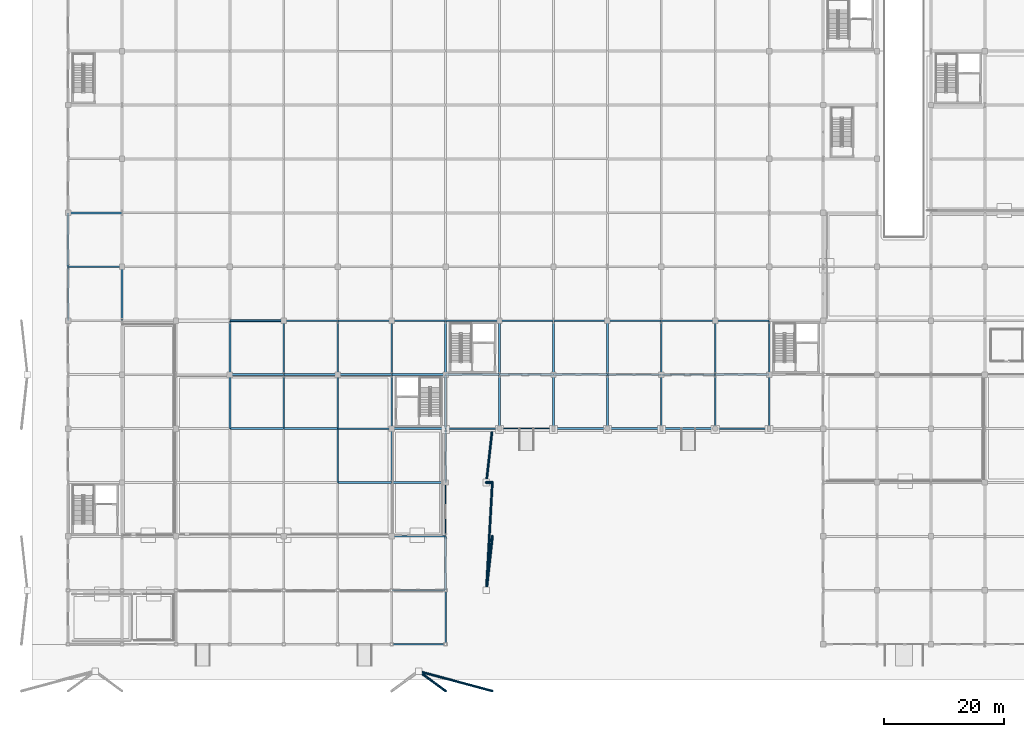
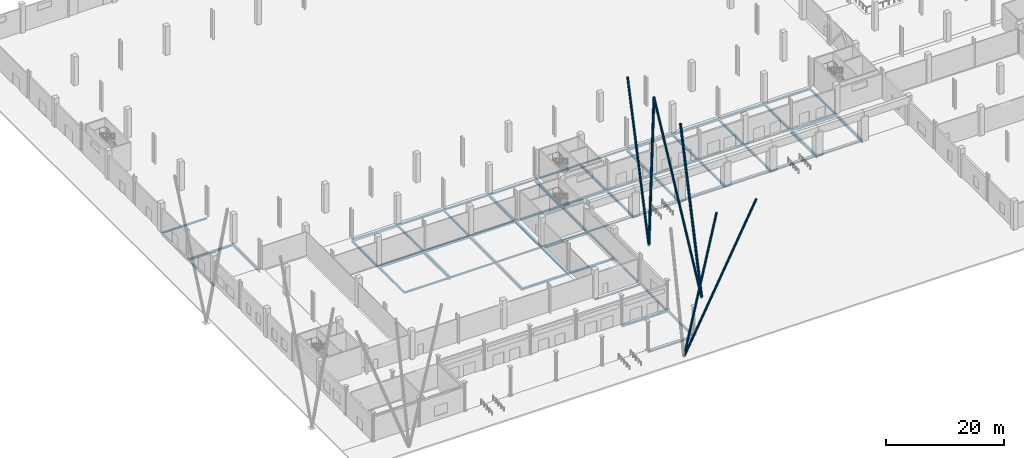
# One storey, part 19 of 58: 68 beams, 6 members.
"""IFC4 building model written with IfcOpenShell, lengths in metres."""

from ifc_helpers import new_model, si_unit, direction, frame, origin, origin_2d, place, context, subcontext, project, spatial, rectangle, hollow_rectangle, hollow_circle, i_section, extrude, material, material_profile, profile_set, type_object, element, save


model = new_model("IFC4")

# Units and contexts
model_context = context("Model", 3, precision=1e-05, world=origin(), true_north=direction((0.0, 1.0)))
body_context = subcontext(model_context, "Body", "Model", "MODEL_VIEW")
ifc_project = project(units=[si_unit("LENGTHUNIT", "METRE"), si_unit("AREAUNIT", "SQUARE_METRE"), si_unit("VOLUMEUNIT", "CUBIC_METRE"), si_unit("PLANEANGLEUNIT", "RADIAN"), si_unit("MASSUNIT", "GRAM", prefix="KILO")], contexts=[model_context])

# Site, building, storey
site_placement = place(None, origin())
site = spatial("IfcSite", under=ifc_project, at=site_placement, CompositionType="ELEMENT")
building_placement = place(site_placement, origin())
building = spatial("IfcBuilding", under=site, at=building_placement, Name="Barlavento Convention Centre", CompositionType="ELEMENT")
storey_placement = place(building_placement, origin())
storey = spatial("IfcBuildingStorey", under=building, at=storey_placement, Name="L00", CompositionType="ELEMENT", Elevation=0.0)

# Beams
ifc_material_1 = material(Name="Concrete C40/50", Category="concrete")
ifc_material_profile_1 = material_profile(ifc_material_1, rectangle(XDim=0.300048828125, YDim=0.5, at=origin_2d()), Name="RC 300x500")
ifc_profile_set_1 = profile_set([ifc_material_profile_1], Name="Concrete C40/50")
beam_type_1 = type_object("IfcBeamType", Name="STR-BM-LNT-RC300X500", PredefinedType="LINTEL", material=ifc_profile_set_1)
beam_1_placement = place(storey_placement, frame((27.02001953125, 54.0, -0.6298828125), z_axis=(1.0, 0.0, 0.0), x_axis=(0.0, 1.0, 0.0)))
element("IfcBeam", 1, at=beam_1_placement, inside=storey, type_object=beam_type_1, Name="L00 primary girder RCL01", PredefinedType="LINTEL", context=body_context, shape_type="SweptSolid", body=[
    extrude(rectangle(XDim=0.300048828125, YDim=0.5, at=origin_2d()), origin(), (0.0, 0.0, 1.0), 8.9599609375),
])
ifc_material_2 = material(Name="Steel S355", Category="steel")
ifc_material_profile_2 = material_profile(ifc_material_2, i_section(OverallWidth=0.300048828125, OverallDepth=0.330078125, WebThickness=0.009521484375, FlangeThickness=0.0166015625, FilletRadius=0.027099609375, at=origin_2d()), Name="HEA 340")
ifc_profile_set_2 = profile_set([ifc_material_profile_2], Name="Steel S355")
beam_type_2 = type_object("IfcBeamType", Name="STR-BM-PRI-HEA340", PredefinedType="BEAM", material=ifc_profile_set_2)
for number, where, z_axis, x_axis, name in (
    (2, (27.0, 36.02001953125, -0.5048828125), (0.0, 1.0, 0.0), (-1.0, 0.0, 0.0), "L00 grid girder BG24"),
    (3, (99.0, 36.02001953125, -0.485107421875), (0.0, 1.0, 0.0), (-1.0, 0.0, 0.0), "L00 grid girder BG24"),
    (4, (45.0, 45.02001953125, -0.544921875), (0.0, 1.0, 0.0), (-1.0, 0.0, 0.0), "L00 grid girder BG24"),
    (5, (117.0, 45.02001953125, -0.544921875), (0.0, 1.0, 0.0), (-1.0, 0.0, 0.0), "L00 grid girder BG24"),
):
    element("IfcBeam", number, at=place(storey_placement, frame(where, z_axis=z_axis, x_axis=x_axis)), inside=storey, type_object=beam_type_2, Name=name, PredefinedType="BEAM", context=body_context, shape_type="SweptSolid", body=[
        extrude(i_section(OverallWidth=0.300048828125, OverallDepth=0.330078125, WebThickness=0.009521484375, FlangeThickness=0.0166015625, FilletRadius=0.027099609375, at=origin_2d()), origin(), (0.0, 0.0, 1.0), 8.9599609375),
    ])
ifc_material_profile_3 = material_profile(ifc_material_2, i_section(OverallWidth=0.300048828125, OverallDepth=0.35009765625, WebThickness=0.010009765625, FlangeThickness=0.017578125, FilletRadius=0.027099609375, at=origin_2d()), Name="HEA 360")
ifc_profile_set_3 = profile_set([ifc_material_profile_3], Name="Steel S355")
beam_type_3 = type_object("IfcBeamType", Name="STR-BM-PRI-HEA360", PredefinedType="BEAM", material=ifc_profile_set_3)
for number, where, z_axis, x_axis, name in (
    (6, (90.0, 36.02001953125, -0.4951171875), (0.0, 1.0, 0.0), (-1.0, 0.0, 0.0), "L00 grid girder BG23"),
    (7, (36.0, 45.02001953125, -0.554931640625), (0.0, 1.0, 0.0), (-1.0, 0.0, 0.0), "L00 grid girder BG23"),
    (8, (108.0, 45.02001953125, -0.554931640625), (0.0, 1.0, 0.0), (-1.0, 0.0, 0.0), "L00 grid girder BG23"),
):
    element("IfcBeam", number, at=place(storey_placement, frame(where, z_axis=z_axis, x_axis=x_axis)), inside=storey, type_object=beam_type_3, Name=name, PredefinedType="BEAM", context=body_context, shape_type="SweptSolid", body=[
        extrude(i_section(OverallWidth=0.300048828125, OverallDepth=0.35009765625, WebThickness=0.010009765625, FlangeThickness=0.017578125, FilletRadius=0.027099609375, at=origin_2d()), origin(), (0.0, 0.0, 1.0), 8.9599609375),
    ])
ifc_material_profile_4 = material_profile(ifc_material_2, i_section(OverallWidth=0.300048828125, OverallDepth=0.389892578125, WebThickness=0.010986328125, FlangeThickness=0.01904296875, FilletRadius=0.027099609375, at=origin_2d()), Name="HEA 400")
ifc_profile_set_4 = profile_set([ifc_material_profile_4], Name="Steel S355")
beam_type_4 = type_object("IfcBeamType", Name="STR-BM-PRI-HEA400", PredefinedType="BEAM", material=ifc_profile_set_4)
for number, where, z_axis, x_axis, name in (
    (9, (81.0, 36.02001953125, -0.514892578125), (0.0, 1.0, 0.0), (-1.0, 0.0, 0.0), "L00 grid girder BG22"),
    (10, (27.0, 45.02001953125, -0.574951171875), (0.0, 1.0, 0.0), (-1.0, 0.0, 0.0), "L00 grid girder BG22"),
    (11, (99.0, 45.02001953125, -0.574951171875), (0.0, 1.0, 0.0), (-1.0, 0.0, 0.0), "L00 grid girder BG22"),
):
    element("IfcBeam", number, at=place(storey_placement, frame(where, z_axis=z_axis, x_axis=x_axis)), inside=storey, type_object=beam_type_4, Name=name, PredefinedType="BEAM", context=body_context, shape_type="SweptSolid", body=[
        extrude(i_section(OverallWidth=0.300048828125, OverallDepth=0.389892578125, WebThickness=0.010986328125, FlangeThickness=0.01904296875, FilletRadius=0.027099609375, at=origin_2d()), origin(), (0.0, 0.0, 1.0), 8.9599609375),
    ])
ifc_material_profile_5 = material_profile(ifc_material_2, i_section(OverallWidth=0.300048828125, OverallDepth=0.43994140625, WebThickness=0.011474609375, FlangeThickness=0.02099609375, FilletRadius=0.027099609375, at=origin_2d()), Name="HEA 450")
ifc_profile_set_5 = profile_set([ifc_material_profile_5], Name="Steel S355")
beam_type_5 = type_object("IfcBeamType", Name="STR-BM-PRI-HEA450", PredefinedType="BEAM", material=ifc_profile_set_5)
for number, where, z_axis, x_axis, name in (
    (12, (72.0, 36.02001953125, -0.5400390625), (0.0, 1.0, 0.0), (-1.0, 0.0, 0.0), "L00 grid girder BG21"),
    (13, (90.0, 45.02001953125, -0.60009765625), (0.0, 1.0, 0.0), (-1.0, 0.0, 0.0), "L00 grid girder BG21"),
):
    element("IfcBeam", number, at=place(storey_placement, frame(where, z_axis=z_axis, x_axis=x_axis)), inside=storey, type_object=beam_type_5, Name=name, PredefinedType="BEAM", context=body_context, shape_type="SweptSolid", body=[
        extrude(i_section(OverallWidth=0.300048828125, OverallDepth=0.43994140625, WebThickness=0.011474609375, FlangeThickness=0.02099609375, FilletRadius=0.027099609375, at=origin_2d()), origin(), (0.0, 0.0, 1.0), 8.9599609375),
    ])
ifc_material_profile_6 = material_profile(ifc_material_2, i_section(OverallWidth=0.300048828125, OverallDepth=0.489990234375, WebThickness=0.011962890625, FlangeThickness=0.02294921875, FilletRadius=0.027099609375, at=origin_2d()), Name="HEA 500")
ifc_profile_set_6 = profile_set([ifc_material_profile_6], Name="Steel S355")
beam_type_6 = type_object("IfcBeamType", Name="STR-BM-PRI-HEA500", PredefinedType="BEAM", material=ifc_profile_set_6)
for number, where, z_axis, x_axis, name in (
    (14, (63.0, 36.02001953125, -0.5849609375), (0.0, 1.0, 0.0), (-1.0, 0.0, 0.0), "L00 grid girder BG20"),
    (15, (81.0, 45.02001953125, -0.625), (0.0, 1.0, 0.0), (-1.0, 0.0, 0.0), "L00 grid girder BG20"),
):
    element("IfcBeam", number, at=place(storey_placement, frame(where, z_axis=z_axis, x_axis=x_axis)), inside=storey, type_object=beam_type_6, Name=name, PredefinedType="BEAM", context=body_context, shape_type="SweptSolid", body=[
        extrude(i_section(OverallWidth=0.300048828125, OverallDepth=0.489990234375, WebThickness=0.011962890625, FlangeThickness=0.02294921875, FilletRadius=0.027099609375, at=origin_2d()), origin(), (0.0, 0.0, 1.0), 8.9599609375),
    ])
ifc_material_profile_7 = material_profile(ifc_material_2, i_section(OverallWidth=0.300048828125, OverallDepth=0.5400390625, WebThickness=0.012451171875, FlangeThickness=0.02392578125, FilletRadius=0.027099609375, at=origin_2d()), Name="HEA 550")
ifc_profile_set_7 = profile_set([ifc_material_profile_7], Name="Steel S355")
beam_type_7 = type_object("IfcBeamType", Name="STR-BM-PRI-HEA550", PredefinedType="BEAM", material=ifc_profile_set_7)
for number, where, z_axis, x_axis, name in (
    (16, (54.0, 27.02001953125, -0.610107421875), (0.0, 1.0, 0.0), (-1.0, 0.0, 0.0), "L00 grid girder BG19"),
    (17, (54.0, 36.02001953125, -0.610107421875), (0.0, 1.0, 0.0), (-1.0, 0.0, 0.0), "L00 grid girder BG19"),
    (18, (72.0, 45.02001953125, -0.64990234375), (0.0, 1.0, 0.0), (-1.0, 0.0, 0.0), "L00 grid girder BG19"),
):
    element("IfcBeam", number, at=place(storey_placement, frame(where, z_axis=z_axis, x_axis=x_axis)), inside=storey, type_object=beam_type_7, Name=name, PredefinedType="BEAM", context=body_context, shape_type="SweptSolid", body=[
        extrude(i_section(OverallWidth=0.300048828125, OverallDepth=0.5400390625, WebThickness=0.012451171875, FlangeThickness=0.02392578125, FilletRadius=0.027099609375, at=origin_2d()), origin(), (0.0, 0.0, 1.0), 8.9599609375),
    ])
ifc_material_profile_8 = material_profile(ifc_material_2, i_section(OverallWidth=0.300048828125, OverallDepth=0.590087890625, WebThickness=0.012939453125, FlangeThickness=0.02490234375, FilletRadius=0.027099609375, at=origin_2d()), Name="HEA 600")
ifc_profile_set_8 = profile_set([ifc_material_profile_8], Name="Steel S355")
beam_type_8 = type_object("IfcBeamType", Name="STR-BM-PRI-HEA600", PredefinedType="BEAM", material=ifc_profile_set_8)
for number, where, z_axis, x_axis, name in (
    (19, (45.0, 27.02001953125, -0.635009765625), (0.0, 1.0, 0.0), (-1.0, 0.0, 0.0), "L00 grid girder BG18"),
    (20, (45.0, 36.02001953125, -0.635009765625), (0.0, 1.0, 0.0), (-1.0, 0.0, 0.0), "L00 grid girder BG18"),
    (21, (117.0, 36.02001953125, -0.614990234375), (0.0, 1.0, 0.0), (-1.0, 0.0, 0.0), "L00 grid girder BG18"),
    (22, (63.0, 45.02001953125, -0.675048828125), (0.0, 1.0, 0.0), (-1.0, 0.0, 0.0), "L00 grid girder BG18"),
    (23, (9.0, 54.02001953125, -0.675048828125), (0.0, 1.0, 0.0), (-1.0, 0.0, 0.0), "L00 grid girder BG18"),
):
    element("IfcBeam", number, at=place(storey_placement, frame(where, z_axis=z_axis, x_axis=x_axis)), inside=storey, type_object=beam_type_8, Name=name, PredefinedType="BEAM", context=body_context, shape_type="SweptSolid", body=[
        extrude(i_section(OverallWidth=0.300048828125, OverallDepth=0.590087890625, WebThickness=0.012939453125, FlangeThickness=0.02490234375, FilletRadius=0.027099609375, at=origin_2d()), origin(), (0.0, 0.0, 1.0), 8.9599609375),
    ])
ifc_material_profile_9 = material_profile(ifc_material_2, i_section(OverallWidth=0.300048828125, OverallDepth=0.639892578125, WebThickness=0.013427734375, FlangeThickness=0.02587890625, FilletRadius=0.027099609375, at=origin_2d()), Name="HEA 650")
ifc_profile_set_9 = profile_set([ifc_material_profile_9], Name="Steel S355")
beam_type_9 = type_object("IfcBeamType", Name="STR-BM-PRI-HEA650", PredefinedType="BEAM", material=ifc_profile_set_9)
for number, where, z_axis, x_axis, name in (
    (24, (36.0, 36.02001953125, -0.659912109375), (0.0, 1.0, 0.0), (-1.0, 0.0, 0.0), "L00 grid girder BG17"),
    (25, (108.0, 36.02001953125, -0.639892578125), (0.0, 1.0, 0.0), (-1.0, 0.0, 0.0), "L00 grid girder BG17"),
    (26, (54.0, 45.02001953125, -0.699951171875), (0.0, 1.0, 0.0), (-1.0, 0.0, 0.0), "L00 grid girder BG17"),
):
    element("IfcBeam", number, at=place(storey_placement, frame(where, z_axis=z_axis, x_axis=x_axis)), inside=storey, type_object=beam_type_9, Name=name, PredefinedType="BEAM", context=body_context, shape_type="SweptSolid", body=[
        extrude(i_section(OverallWidth=0.300048828125, OverallDepth=0.639892578125, WebThickness=0.013427734375, FlangeThickness=0.02587890625, FilletRadius=0.027099609375, at=origin_2d()), origin(), (0.0, 0.0, 1.0), 8.9599609375),
    ])
ifc_material_profile_10 = material_profile(ifc_material_2, i_section(OverallWidth=0.260009765625, OverallDepth=0.260009765625, WebThickness=0.010009765625, FlangeThickness=0.017578125, FilletRadius=0.02392578125, at=origin_2d()), Name="HEB 260")
ifc_profile_set_10 = profile_set([ifc_material_profile_10], Name="Steel S355")
beam_type_10 = type_object("IfcBeamType", Name="STR-BM-PRI-HEB260", PredefinedType="BEAM", material=ifc_profile_set_10)
for number, where, z_axis, x_axis, name in (
    (27, (54.02001953125, 18.0, -0.469970703125), (1.0, 0.0, 0.0), (0.0, 1.0, 0.0), "L00 primary girder BG16"),
    (28, (45.02001953125, 36.0, -0.469970703125), (1.0, 0.0, 0.0), (0.0, 1.0, 0.0), "L00 primary girder BG16"),
    (29, (99.02001953125, 45.0, -0.449951171875), (1.0, 0.0, 0.0), (0.0, 1.0, 0.0), "L00 primary girder BG16"),
    (30, (72.02001953125, 54.0, -0.510009765625), (1.0, 0.0, 0.0), (0.0, 1.0, 0.0), "L00 primary girder BG16"),
):
    element("IfcBeam", number, at=place(storey_placement, frame(where, z_axis=z_axis, x_axis=x_axis)), inside=storey, type_object=beam_type_10, Name=name, PredefinedType="BEAM", context=body_context, shape_type="SweptSolid", body=[
        extrude(i_section(OverallWidth=0.260009765625, OverallDepth=0.260009765625, WebThickness=0.010009765625, FlangeThickness=0.017578125, FilletRadius=0.02392578125, at=origin_2d()), origin(), (0.0, 0.0, 1.0), 8.9599609375),
    ])
ifc_material_profile_11 = material_profile(ifc_material_2, i_section(OverallWidth=0.280029296875, OverallDepth=0.280029296875, WebThickness=0.010498046875, FlangeThickness=0.01806640625, FilletRadius=0.02392578125, at=origin_2d()), Name="HEB 280")
ifc_profile_set_11 = profile_set([ifc_material_profile_11], Name="Steel S355")
beam_type_11 = type_object("IfcBeamType", Name="STR-BM-PRI-HEB280", PredefinedType="BEAM", material=ifc_profile_set_11)
for number, where, z_axis, x_axis, name in (
    (31, (36.02001953125, 36.0, -0.47998046875), (1.0, 0.0, 0.0), (0.0, 1.0, 0.0), "L00 primary girder BG15"),
    (32, (90.02001953125, 45.0, -0.4599609375), (1.0, 0.0, 0.0), (0.0, 1.0, 0.0), "L00 primary girder BG15"),
    (33, (63.02001953125, 54.0, -0.52001953125), (1.0, 0.0, 0.0), (0.0, 1.0, 0.0), "L00 primary girder BG15"),
):
    element("IfcBeam", number, at=place(storey_placement, frame(where, z_axis=z_axis, x_axis=x_axis)), inside=storey, type_object=beam_type_11, Name=name, PredefinedType="BEAM", context=body_context, shape_type="SweptSolid", body=[
        extrude(i_section(OverallWidth=0.280029296875, OverallDepth=0.280029296875, WebThickness=0.010498046875, FlangeThickness=0.01806640625, FilletRadius=0.02392578125, at=origin_2d()), origin(), (0.0, 0.0, 1.0), 8.9599609375),
    ])
ifc_material_profile_12 = material_profile(ifc_material_2, i_section(OverallWidth=0.300048828125, OverallDepth=0.300048828125, WebThickness=0.010986328125, FlangeThickness=0.01904296875, FilletRadius=0.027099609375, at=origin_2d()), Name="HEB 300")
ifc_profile_set_12 = profile_set([ifc_material_profile_12], Name="Steel S355")
beam_type_12 = type_object("IfcBeamType", Name="STR-BM-PRI-HEB300", PredefinedType="BEAM", material=ifc_profile_set_12)
for number, where, z_axis, x_axis, name in (
    (34, (27.02001953125, 36.0, -0.489990234375), (1.0, 0.0, 0.0), (0.0, 1.0, 0.0), "L00 primary girder BG14"),
    (35, (81.02001953125, 45.0, -0.469970703125), (1.0, 0.0, 0.0), (0.0, 1.0, 0.0), "L00 primary girder BG14"),
    (36, (54.02001953125, 54.0, -0.530029296875), (1.0, 0.0, 0.0), (0.0, 1.0, 0.0), "L00 primary girder BG14"),
    (37, (0.02001953125, 72.0, -0.530029296875), (1.0, 0.0, 0.0), (0.0, 1.0, 0.0), "L00 primary girder BG14"),
):
    element("IfcBeam", number, at=place(storey_placement, frame(where, z_axis=z_axis, x_axis=x_axis)), inside=storey, type_object=beam_type_12, Name=name, PredefinedType="BEAM", context=body_context, shape_type="SweptSolid", body=[
        extrude(i_section(OverallWidth=0.300048828125, OverallDepth=0.300048828125, WebThickness=0.010986328125, FlangeThickness=0.01904296875, FilletRadius=0.027099609375, at=origin_2d()), origin(), (0.0, 0.0, 1.0), 8.9599609375),
    ])
ifc_material_profile_13 = material_profile(ifc_material_2, i_section(OverallWidth=0.300048828125, OverallDepth=0.320068359375, WebThickness=0.011474609375, FlangeThickness=0.0205078125, FilletRadius=0.027099609375, at=origin_2d()), Name="HEB 320")
ifc_profile_set_13 = profile_set([ifc_material_profile_13], Name="Steel S355")
beam_type_13 = type_object("IfcBeamType", Name="STR-BM-PRI-HEB320", PredefinedType="BEAM", material=ifc_profile_set_13)
for number, where, z_axis, x_axis, name in (
    (38, (72.02001953125, 45.0, -0.47998046875), (1.0, 0.0, 0.0), (0.0, 1.0, 0.0), "L00 primary girder BG13"),
    (39, (45.02001953125, 54.0, -0.5400390625), (1.0, 0.0, 0.0), (0.0, 1.0, 0.0), "L00 primary girder BG13"),
):
    element("IfcBeam", number, at=place(storey_placement, frame(where, z_axis=z_axis, x_axis=x_axis)), inside=storey, type_object=beam_type_13, Name=name, PredefinedType="BEAM", context=body_context, shape_type="SweptSolid", body=[
        extrude(i_section(OverallWidth=0.300048828125, OverallDepth=0.320068359375, WebThickness=0.011474609375, FlangeThickness=0.0205078125, FilletRadius=0.027099609375, at=origin_2d()), origin(), (0.0, 0.0, 1.0), 8.9599609375),
    ])
ifc_material_profile_14 = material_profile(ifc_material_2, i_section(OverallWidth=0.300048828125, OverallDepth=0.360107421875, WebThickness=0.012451171875, FlangeThickness=0.0224609375, FilletRadius=0.027099609375, at=origin_2d()), Name="HEB 360")
ifc_profile_set_14 = profile_set([ifc_material_profile_14], Name="Steel S355")
beam_type_14 = type_object("IfcBeamType", Name="STR-BM-PRI-HEB360", PredefinedType="BEAM", material=ifc_profile_set_14)
for number, where, z_axis, x_axis, name in (
    (40, (54.02001953125, 27.0, -0.52001953125), (1.0, 0.0, 0.0), (0.0, 1.0, 0.0), "L00 primary girder BG12"),
    (41, (63.02001953125, 45.0, -0.52001953125), (1.0, 0.0, 0.0), (0.0, 1.0, 0.0), "L00 primary girder BG12"),
    (42, (36.02001953125, 54.0, -0.56005859375), (1.0, 0.0, 0.0), (0.0, 1.0, 0.0), "L00 primary girder BG12"),
):
    element("IfcBeam", number, at=place(storey_placement, frame(where, z_axis=z_axis, x_axis=x_axis)), inside=storey, type_object=beam_type_14, Name=name, PredefinedType="BEAM", context=body_context, shape_type="SweptSolid", body=[
        extrude(i_section(OverallWidth=0.300048828125, OverallDepth=0.360107421875, WebThickness=0.012451171875, FlangeThickness=0.0224609375, FilletRadius=0.027099609375, at=origin_2d()), origin(), (0.0, 0.0, 1.0), 8.9599609375),
    ])
ifc_material_profile_15 = material_profile(ifc_material_2, i_section(OverallWidth=0.300048828125, OverallDepth=0.39990234375, WebThickness=0.013427734375, FlangeThickness=0.02392578125, FilletRadius=0.027099609375, at=origin_2d()), Name="HEB 400")
ifc_profile_set_15 = profile_set([ifc_material_profile_15], Name="Steel S355")
beam_type_15 = type_object("IfcBeamType", Name="STR-BM-PRI-HEB400", PredefinedType="BEAM", material=ifc_profile_set_15)
for number, where, z_axis, x_axis, name in (
    (43, (54.02001953125, 9.0, -0.5400390625), (1.0, 0.0, 0.0), (0.0, 1.0, 0.0), "L00 primary girder BG11"),
    (44, (45.02001953125, 27.0, -0.5400390625), (1.0, 0.0, 0.0), (0.0, 1.0, 0.0), "L00 primary girder BG11"),
    (45, (54.02001953125, 45.0, -0.5400390625), (1.0, 0.0, 0.0), (0.0, 1.0, 0.0), "L00 primary girder BG11"),
    (46, (108.02001953125, 54.0, -0.580078125), (1.0, 0.0, 0.0), (0.0, 1.0, 0.0), "L00 primary girder BG11"),
    (47, (0.02001953125, 63.0, -0.580078125), (1.0, 0.0, 0.0), (0.0, 1.0, 0.0), "L00 primary girder BG11"),
):
    element("IfcBeam", number, at=place(storey_placement, frame(where, z_axis=z_axis, x_axis=x_axis)), inside=storey, type_object=beam_type_15, Name=name, PredefinedType="BEAM", context=body_context, shape_type="SweptSolid", body=[
        extrude(i_section(OverallWidth=0.300048828125, OverallDepth=0.39990234375, WebThickness=0.013427734375, FlangeThickness=0.02392578125, FilletRadius=0.027099609375, at=origin_2d()), origin(), (0.0, 0.0, 1.0), 8.9599609375),
    ])
ifc_material_profile_16 = material_profile(ifc_material_2, i_section(OverallWidth=0.300048828125, OverallDepth=0.449951171875, WebThickness=0.013916015625, FlangeThickness=0.02587890625, FilletRadius=0.027099609375, at=origin_2d()), Name="HEB 450")
ifc_profile_set_16 = profile_set([ifc_material_profile_16], Name="Steel S355")
beam_type_16 = type_object("IfcBeamType", Name="STR-BM-PRI-HEB450", PredefinedType="BEAM", material=ifc_profile_set_16)
for number, where, z_axis, x_axis, name in (
    (48, (45.02001953125, 45.0, -0.56494140625), (1.0, 0.0, 0.0), (0.0, 1.0, 0.0), "L00 primary girder BG10"),
    (49, (99.02001953125, 54.0, -0.60498046875), (1.0, 0.0, 0.0), (0.0, 1.0, 0.0), "L00 primary girder BG10"),
):
    element("IfcBeam", number, at=place(storey_placement, frame(where, z_axis=z_axis, x_axis=x_axis)), inside=storey, type_object=beam_type_16, Name=name, PredefinedType="BEAM", context=body_context, shape_type="SweptSolid", body=[
        extrude(i_section(OverallWidth=0.300048828125, OverallDepth=0.449951171875, WebThickness=0.013916015625, FlangeThickness=0.02587890625, FilletRadius=0.027099609375, at=origin_2d()), origin(), (0.0, 0.0, 1.0), 8.9599609375),
    ])
ifc_material_profile_17 = material_profile(ifc_material_2, i_section(OverallWidth=0.300048828125, OverallDepth=0.5, WebThickness=0.014404296875, FlangeThickness=0.028076171875, FilletRadius=0.027099609375, at=origin_2d()), Name="HEB 500")
ifc_profile_set_17 = profile_set([ifc_material_profile_17], Name="Steel S355")
beam_type_17 = type_object("IfcBeamType", Name="STR-BM-PRI-HEB500", PredefinedType="BEAM", material=ifc_profile_set_17)
for number, where, z_axis, x_axis, name in (
    (50, (36.02001953125, 45.0, -0.590087890625), (1.0, 0.0, 0.0), (0.0, 1.0, 0.0), "L00 primary girder BG09"),
    (51, (90.02001953125, 54.0, -0.6298828125), (1.0, 0.0, 0.0), (0.0, 1.0, 0.0), "L00 primary girder BG09"),
):
    element("IfcBeam", number, at=place(storey_placement, frame(where, z_axis=z_axis, x_axis=x_axis)), inside=storey, type_object=beam_type_17, Name=name, PredefinedType="BEAM", context=body_context, shape_type="SweptSolid", body=[
        extrude(i_section(OverallWidth=0.300048828125, OverallDepth=0.5, WebThickness=0.014404296875, FlangeThickness=0.028076171875, FilletRadius=0.027099609375, at=origin_2d()), origin(), (0.0, 0.0, 1.0), 8.9599609375),
    ])
ifc_material_profile_18 = material_profile(ifc_material_2, i_section(OverallWidth=0.300048828125, OverallDepth=0.550048828125, WebThickness=0.014892578125, FlangeThickness=0.029052734375, FilletRadius=0.027099609375, at=origin_2d()), Name="HEB 550")
ifc_profile_set_18 = profile_set([ifc_material_profile_18], Name="Steel S355")
beam_type_18 = type_object("IfcBeamType", Name="STR-BM-PRI-HEB550", PredefinedType="BEAM", material=ifc_profile_set_18)
for number, where, z_axis, x_axis, name in (
    (52, (54.02001953125, 36.0, -0.614990234375), (1.0, 0.0, 0.0), (0.0, 1.0, 0.0), "L00 primary girder BG08"),
    (53, (27.02001953125, 45.0, -0.614990234375), (1.0, 0.0, 0.0), (0.0, 1.0, 0.0), "L00 primary girder BG08"),
    (54, (108.02001953125, 45.0, -0.594970703125), (1.0, 0.0, 0.0), (0.0, 1.0, 0.0), "L00 primary girder BG08"),
    (55, (81.02001953125, 54.0, -0.655029296875), (1.0, 0.0, 0.0), (0.0, 1.0, 0.0), "L00 primary girder BG08"),
):
    element("IfcBeam", number, at=place(storey_placement, frame(where, z_axis=z_axis, x_axis=x_axis)), inside=storey, type_object=beam_type_18, Name=name, PredefinedType="BEAM", context=body_context, shape_type="SweptSolid", body=[
        extrude(i_section(OverallWidth=0.300048828125, OverallDepth=0.550048828125, WebThickness=0.014892578125, FlangeThickness=0.029052734375, FilletRadius=0.027099609375, at=origin_2d()), origin(), (0.0, 0.0, 1.0), 8.9599609375),
    ])
ifc_material_profile_19 = material_profile(ifc_material_2, i_section(OverallWidth=0.239990234375, OverallDepth=0.22998046875, WebThickness=0.007568359375, FlangeThickness=0.011962890625, FilletRadius=0.02099609375, at=origin_2d()), Name="HEA 240")
ifc_profile_set_19 = profile_set([ifc_material_profile_19], Name="Steel S355")
beam_type_19 = type_object("IfcBeamType", Name="STR-BM-SPN-HEA240", PredefinedType="SPANDREL", material=ifc_profile_set_19)
beam_2_placement = place(storey_placement, frame((63.02001953125, 36.0, -0.455078125), z_axis=(1.0, 0.0, 0.0), x_axis=(0.0, 1.0, 0.0)))
element("IfcBeam", 56, at=beam_2_placement, inside=storey, type_object=beam_type_19, Name="L00 primary girder SP05", PredefinedType="SPANDREL", context=body_context, shape_type="SweptSolid", body=[
    extrude(i_section(OverallWidth=0.239990234375, OverallDepth=0.22998046875, WebThickness=0.007568359375, FlangeThickness=0.011962890625, FilletRadius=0.02099609375, at=origin_2d()), origin(), (0.0, 0.0, 1.0), 8.9599609375),
])
ifc_material_profile_20 = material_profile(ifc_material_2, i_section(OverallWidth=0.260009765625, OverallDepth=0.25, WebThickness=0.007568359375, FlangeThickness=0.012451171875, FilletRadius=0.02392578125, at=origin_2d()), Name="HEA 260")
ifc_profile_set_20 = profile_set([ifc_material_profile_20], Name="Steel S355")
beam_type_20 = type_object("IfcBeamType", Name="STR-BM-SPN-HEA260", PredefinedType="SPANDREL", material=ifc_profile_set_20)
for number, where, z_axis, x_axis, name in (
    (57, (108.02001953125, 36.0, -0.43505859375), (1.0, 0.0, 0.0), (0.0, 1.0, 0.0), "L00 primary girder SP04"),
    (58, (63.0, 0.02001953125, -0.465087890625), (0.0, 1.0, 0.0), (-1.0, 0.0, 0.0), "L00 grid girder SP04"),
    (59, (63.0, 27.02001953125, -0.465087890625), (0.0, 1.0, 0.0), (-1.0, 0.0, 0.0), "L00 grid girder SP04"),
):
    element("IfcBeam", number, at=place(storey_placement, frame(where, z_axis=z_axis, x_axis=x_axis)), inside=storey, type_object=beam_type_20, Name=name, PredefinedType="SPANDREL", context=body_context, shape_type="SweptSolid", body=[
        extrude(i_section(OverallWidth=0.260009765625, OverallDepth=0.25, WebThickness=0.007568359375, FlangeThickness=0.012451171875, FilletRadius=0.02392578125, at=origin_2d()), origin(), (0.0, 0.0, 1.0), 8.9599609375),
    ])
ifc_material_profile_21 = material_profile(ifc_material_2, i_section(OverallWidth=0.280029296875, OverallDepth=0.27001953125, WebThickness=0.008056640625, FlangeThickness=0.012939453125, FilletRadius=0.02392578125, at=origin_2d()), Name="HEA 280")
ifc_profile_set_21 = profile_set([ifc_material_profile_21], Name="Steel S355")
beam_type_21 = type_object("IfcBeamType", Name="STR-BM-SPN-HEA280", PredefinedType="SPANDREL", material=ifc_profile_set_21)
for number, where, z_axis, x_axis, name in (
    (60, (99.02001953125, 36.0, -0.445068359375), (1.0, 0.0, 0.0), (0.0, 1.0, 0.0), "L00 primary girder SP03"),
    (61, (0.0, 54.02001953125, -0.514892578125), (0.0, 1.0, 0.0), (-1.0, 0.0, 0.0), "L00 grid girder SP03"),
):
    element("IfcBeam", number, at=place(storey_placement, frame(where, z_axis=z_axis, x_axis=x_axis)), inside=storey, type_object=beam_type_21, Name=name, PredefinedType="SPANDREL", context=body_context, shape_type="SweptSolid", body=[
        extrude(i_section(OverallWidth=0.280029296875, OverallDepth=0.27001953125, WebThickness=0.008056640625, FlangeThickness=0.012939453125, FilletRadius=0.02392578125, at=origin_2d()), origin(), (0.0, 0.0, 1.0), 8.9599609375),
    ])
ifc_material_profile_22 = material_profile(ifc_material_2, i_section(OverallWidth=0.300048828125, OverallDepth=0.2900390625, WebThickness=0.008544921875, FlangeThickness=0.013916015625, FilletRadius=0.027099609375, at=origin_2d()), Name="HEA 300")
ifc_profile_set_22 = profile_set([ifc_material_profile_22], Name="Steel S355")
beam_type_22 = type_object("IfcBeamType", Name="STR-BM-SPN-HEA300", PredefinedType="SPANDREL", material=ifc_profile_set_22)
for number, where, z_axis, x_axis, name in (
    (62, (54.02001953125, 0.0, -0.455078125), (1.0, 0.0, 0.0), (0.0, 1.0, 0.0), "L00 primary girder SP02"),
    (63, (90.02001953125, 36.0, -0.455078125), (1.0, 0.0, 0.0), (0.0, 1.0, 0.0), "L00 primary girder SP02"),
    (64, (63.0, 9.02001953125, -0.485107421875), (0.0, 1.0, 0.0), (-1.0, 0.0, 0.0), "L00 grid girder SP02"),
):
    element("IfcBeam", number, at=place(storey_placement, frame(where, z_axis=z_axis, x_axis=x_axis)), inside=storey, type_object=beam_type_22, Name=name, PredefinedType="SPANDREL", context=body_context, shape_type="SweptSolid", body=[
        extrude(i_section(OverallWidth=0.300048828125, OverallDepth=0.2900390625, WebThickness=0.008544921875, FlangeThickness=0.013916015625, FilletRadius=0.027099609375, at=origin_2d()), origin(), (0.0, 0.0, 1.0), 8.9599609375),
    ])
ifc_material_profile_23 = material_profile(ifc_material_2, i_section(OverallWidth=0.300048828125, OverallDepth=0.31005859375, WebThickness=0.009033203125, FlangeThickness=0.015380859375, FilletRadius=0.027099609375, at=origin_2d()), Name="HEA 320")
ifc_profile_set_23 = profile_set([ifc_material_profile_23], Name="Steel S355")
beam_type_23 = type_object("IfcBeamType", Name="STR-BM-SPN-HEA320", PredefinedType="SPANDREL", material=ifc_profile_set_23)
for number, where, z_axis, x_axis, name in (
    (65, (81.02001953125, 36.0, -0.465087890625), (1.0, 0.0, 0.0), (0.0, 1.0, 0.0), "L00 primary girder SP01"),
    (66, (0.0, 63.02001953125, -0.534912109375), (0.0, 1.0, 0.0), (-1.0, 0.0, 0.0), "L00 grid girder SP01"),
):
    element("IfcBeam", number, at=place(storey_placement, frame(where, z_axis=z_axis, x_axis=x_axis)), inside=storey, type_object=beam_type_23, Name=name, PredefinedType="SPANDREL", context=body_context, shape_type="SweptSolid", body=[
        extrude(i_section(OverallWidth=0.300048828125, OverallDepth=0.31005859375, WebThickness=0.009033203125, FlangeThickness=0.015380859375, FilletRadius=0.027099609375, at=origin_2d()), origin(), (0.0, 0.0, 1.0), 8.9599609375),
    ])
ifc_material_profile_24 = material_profile(ifc_material_2, hollow_rectangle(XDim=0.199951171875, YDim=0.39990234375, WallThickness=0.01611328125, at=origin_2d()), Name="RHS 400x200x16.0")
ifc_profile_set_24 = profile_set([ifc_material_profile_24], Name="Steel S355")
beam_type_24 = type_object("IfcBeamType", Name="STR-BM-SPN-RHS400", PredefinedType="SPANDREL", material=ifc_profile_set_24)
for number, where, z_axis, x_axis, name in (
    (67, (72.02001953125, 36.0, -0.510009765625), (1.0, 0.0, 0.0), (0.0, 1.0, 0.0), "L00 primary girder SP06"),
    (68, (63.0, 18.02001953125, -0.5400390625), (0.0, 1.0, 0.0), (-1.0, 0.0, 0.0), "L00 grid girder SP06"),
):
    element("IfcBeam", number, at=place(storey_placement, frame(where, z_axis=z_axis, x_axis=x_axis)), inside=storey, type_object=beam_type_24, Name=name, PredefinedType="SPANDREL", context=body_context, shape_type="SweptSolid", body=[
        extrude(hollow_rectangle(XDim=0.199951171875, YDim=0.39990234375, WallThickness=0.01611328125, at=origin_2d()), origin(), (0.0, 0.0, 1.0), 8.9599609375),
    ])

# Members
ifc_material_profile_25 = material_profile(ifc_material_2, hollow_circle(Radius=0.203125, WallThickness=0.01611328125, at=origin_2d()), Name="CHS 406.4x16.0")
ifc_profile_set_25 = profile_set([ifc_material_profile_25], Name="Steel S355")
member_type_1 = type_object("IfcMemberType", Name="STR-MEM-VSTRUT-CHS406", PredefinedType="BRACE", material=ifc_profile_set_25)
member_1_placement = place(storey_placement, frame((58.5, -4.5, -0.300048828125), z_axis=(0.145654117005, -0.106814599585, 0.983552499623), x_axis=(0.591369353648, 0.806400823144, 0.0)))
element("IfcMember", 69, at=member_1_placement, inside=storey, type_object=member_type_1, Name="Congress canopy raked typhoon V-strut VS02", PredefinedType="BRACE", context=body_context, shape_type="SweptSolid", body=[
    extrude(hollow_circle(Radius=0.203125, WallThickness=0.01611328125, at=origin_2d()), origin(), (0.0, 0.0, 1.0), 30.89501953125),
])
member_2_placement = place(storey_placement, frame((58.5, -4.5, -0.300048828125), z_axis=(0.372142887982, -0.099844294811, 0.922789676859), x_axis=(0.259131183183, 0.965842135083, 0.0)))
element("IfcMember", 70, at=member_2_placement, inside=storey, type_object=member_type_1, Name="Congress canopy raked typhoon V-strut VS02", PredefinedType="BRACE", context=body_context, shape_type="SweptSolid", body=[
    extrude(hollow_circle(Radius=0.203125, WallThickness=0.01611328125, at=origin_2d()), origin(), (0.0, 0.0, 1.0), 33.052001953125),
])
member_3_placement = place(storey_placement, frame((69.800048828125, 9.0, -0.300048828125), z_axis=(0.028225060726, 0.508051093065, 0.860864352138), x_axis=(-0.998460353205, 0.055470019623, 0.0)))
element("IfcMember", 71, at=member_3_placement, inside=storey, type_object=member_type_1, Name="Congress canopy raked typhoon V-strut VS02", PredefinedType="BRACE", context=body_context, shape_type="SweptSolid", body=[
    extrude(hollow_circle(Radius=0.203125, WallThickness=0.01611328125, at=origin_2d()), origin(), (0.0, 0.0, 1.0), 35.429443359375),
])
member_4_placement = place(storey_placement, frame((69.800048828125, 27.0, -0.300048828125), z_axis=(0.032593229748, 0.293339067732, 0.955452705641), x_axis=(-0.993883734674, 0.110431526075, 0.0)))
element("IfcMember", 72, at=member_4_placement, inside=storey, type_object=member_type_1, Name="Congress canopy raked typhoon V-strut VS02", PredefinedType="BRACE", context=body_context, shape_type="SweptSolid", body=[
    extrude(hollow_circle(Radius=0.203125, WallThickness=0.01611328125, at=origin_2d()), origin(), (0.0, 0.0, 1.0), 30.68115234375),
])
ifc_material_3 = material(Name="Steel S460", Category="steel")
ifc_material_profile_26 = material_profile(ifc_material_3, hollow_circle(Radius=0.228515625, WallThickness=0.02001953125, at=origin_2d()), Name="CHS 457.0x20.0")
ifc_profile_set_26 = profile_set([ifc_material_profile_26], Name="Steel S460")
member_type_2 = type_object("IfcMemberType", Name="STR-MEM-VSTRUT-CHS457", PredefinedType="BRACE", material=ifc_profile_set_26)
member_5_placement = place(storey_placement, frame((69.800048828125, 9.0, -0.300048828125), z_axis=(0.031430848644, 0.282877637796, 0.958640883641), x_axis=(-0.993883734674, 0.110431526075, 0.0)))
element("IfcMember", 73, at=member_5_placement, inside=storey, type_object=member_type_2, Name="Congress canopy raked typhoon V-strut VS01", PredefinedType="BRACE", context=body_context, shape_type="SweptSolid", body=[
    extrude(hollow_circle(Radius=0.228515625, WallThickness=0.02001953125, at=origin_2d()), origin(), (0.0, 0.0, 1.0), 31.81591796875),
])
member_6_placement = place(storey_placement, frame((69.800048828125, 27.0, -0.300048828125), z_axis=(0.032769276821, 0.0, 0.999462943033), x_axis=(0.0, 1.0, 0.0)))
element("IfcMember", 74, at=member_6_placement, inside=storey, type_object=member_type_2, Name="Congress canopy raked typhoon V-strut VS01", PredefinedType="BRACE", context=body_context, shape_type="SweptSolid", body=[
    extrude(hollow_circle(Radius=0.228515625, WallThickness=0.02001953125, at=origin_2d()), origin(), (0.0, 0.0, 1.0), 30.516357421875),
])

save(model, "model.ifc")
